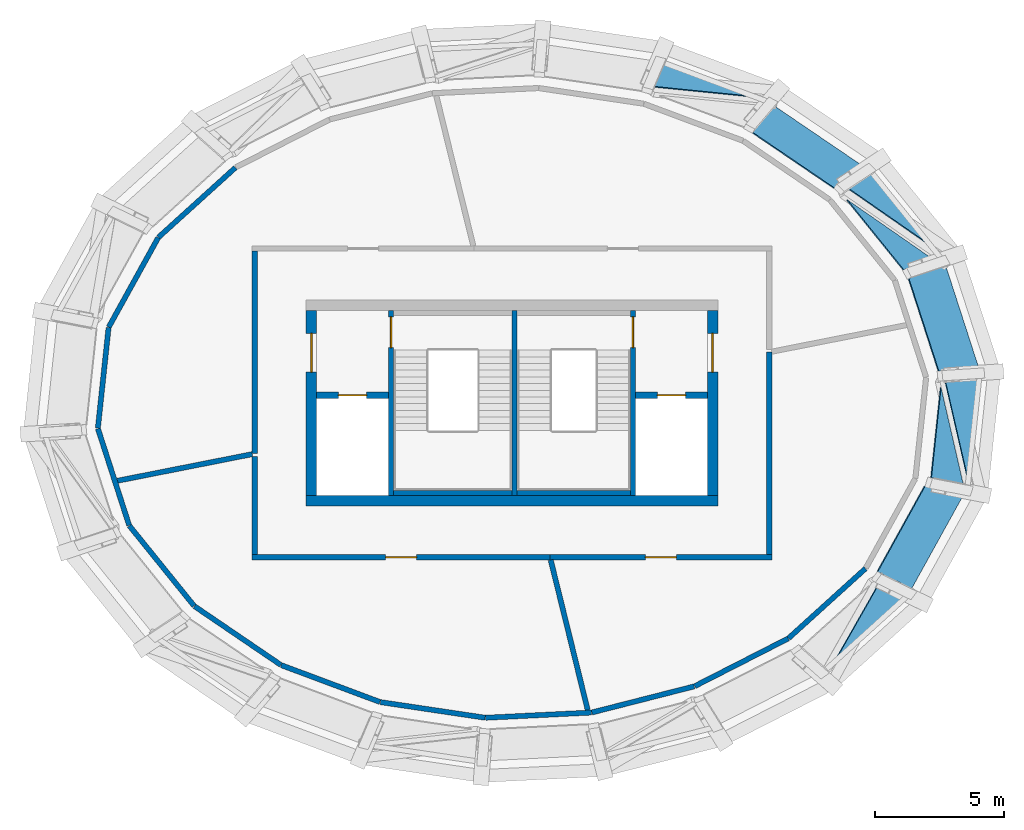
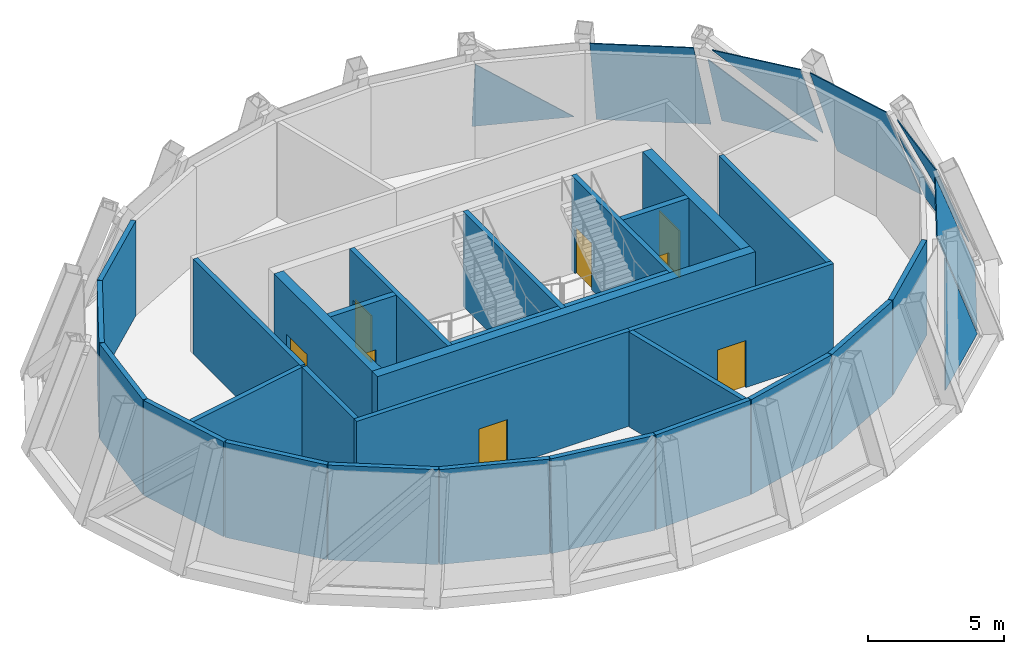
# One storey, part 4 of 6: 28 walls, 9 plates, 8 doors, 8 openings, 1 element without a shape of its own.
"""IFC4 building model written with IfcOpenShell, lengths in metres."""

from ifc_helpers import new_model, si_unit, direction, frame, frame_2d, origin, place, context, subcontext, project, spatial, polyline, rectangle, outline, extrude, source, transform, mapped, material, layer, layer_set, type_object, element, fill, aggregate, save


model = new_model("IFC4")

# Units and contexts
model_context = context("Model", 3, precision=1e-05, world=origin(), true_north=direction((0.0, 1.0)))
body_context = subcontext(model_context, "Body", "Model", "MODEL_VIEW")
ifc_project = project(units=[si_unit("LENGTHUNIT", "METRE"), si_unit("AREAUNIT", "SQUARE_METRE"), si_unit("VOLUMEUNIT", "CUBIC_METRE"), si_unit("PLANEANGLEUNIT", "RADIAN"), si_unit("MASSUNIT", "GRAM", prefix="KILO")], contexts=[model_context])

# Site, building, storey
site_placement = place(None, origin())
site = spatial("IfcSite", under=ifc_project, at=site_placement, CompositionType="ELEMENT")
building_placement = place(site_placement, origin())
building = spatial("IfcBuilding", under=site, at=building_placement, Name="Embergate Tower", CompositionType="ELEMENT")
storey_placement = place(building_placement, frame((0.0, 0.0, 356.5)))
storey = spatial("IfcBuildingStorey", under=building, at=storey_placement, Name="L81", CompositionType="ELEMENT", Elevation=356.5)

# Curtain wall, plates
ifc_material_1 = material(Name="Aluminium and glass", Category="aluminium")
curtain_wall_type = type_object("IfcCurtainWallType", Name="Crown facet glazing", PredefinedType="NOTDEFINED", material=ifc_material_1)
curtain_wall_placement = place(storey_placement, origin())
curtain_wall = element("IfcCurtainWall", 1, at=curtain_wall_placement, inside=storey, type_object=curtain_wall_type, Name="Crown facet glazing L81", ObjectType="CROWN FACET GLAZING", PredefinedType="USERDEFINED")
ifc_material_2 = material(Name="Triple glazing, low-emissivity coating", Category="glass")
ifc_layer_1 = layer(ifc_material_2, 0.0400390625)
ifc_layer_set_1 = layer_set([ifc_layer_1], Name="Triple glazing, low-emissivity coating")
plate_type = type_object("IfcPlateType", Name="Crown facet glazing unit", PredefinedType="CURTAIN_PANEL", material=ifc_layer_set_1)
shared_shape_1 = source(origin(), body_context, "Body", "SweptSolid", [
    extrude(outline(polyline([(0.0, 0.0), (4.18017578125, 0.0), (4.167236328125, 4.554443359375), (0.3837890625, 4.5546875), (0.0, 0.0)])), origin(), (0.0, 0.0, -1.0), 0.0400390625),
])
plate_1_placement = place(storey_placement, frame((18.15576171875, 1.34228515625, 0.02392578125), z_axis=(0.897517126187, 0.290161057825, 0.332068620503), x_axis=(-0.307616168266, 0.951510532269, -1.575772e-06)))
plate_1 = element("IfcPlate", 2, at=plate_1_placement, type_object=plate_type, Name="CW panel 1.1", PredefinedType="CURTAIN_PANEL", context=body_context, shape_type="MappedRepresentation", body=[
    mapped(shared_shape_1, transform((0.0, 0.0, 0.0))),
])
shared_shape_2 = source(origin(), body_context, "Body", "SweptSolid", [
    extrude(outline(polyline([(0.0, 0.0), (3.78466796875, 0.0), (3.8916015625, 3.637939453125), (0.0, 0.0)])), origin(), (0.0, 0.0, -1.0), 0.0400390625),
])
plate_2_placement = place(storey_placement, frame((16.44287109375, 6.01416015625, 0.166259765625), z_axis=(0.738987752264, 0.596495377916, 0.313193815598), x_axis=(-0.628095337902, 0.778136393254, 0.0)))
plate_2 = element("IfcPlate", 3, at=plate_2_placement, type_object=plate_type, Name="CW panel 2.1", PredefinedType="CURTAIN_PANEL", context=body_context, shape_type="MappedRepresentation", body=[
    mapped(shared_shape_2, transform((0.0, 0.0, 0.0))),
])
shared_shape_3 = source(origin(), body_context, "Body", "SweptSolid", [
    extrude(outline(polyline([(0.0, 0.0), (5.375244140625, 0.0), (2.820068359375, 2.387939453125), (0.0, 0.0)])), origin(), (0.0, 0.0, -1.0), 0.0400390625),
])
plate_3_placement = place(storey_placement, frame((16.396484375, 5.56787109375, 0.83837890625), z_axis=(0.738885755904, 0.596797441573, 0.3128588395), x_axis=(-0.625244341069, 0.434119236665, 0.648544526088)))
plate_3 = element("IfcPlate", 4, at=plate_3_placement, type_object=plate_type, Name="CW panel 2.2", PredefinedType="CURTAIN_PANEL", context=body_context, shape_type="MappedRepresentation", body=[
    mapped(shared_shape_3, transform((0.0, 0.0, 0.0))),
])
shared_shape_4 = source(origin(), body_context, "Body", "SweptSolid", [
    extrude(outline(polyline([(0.0, 0.0), (4.219970703125, 0.0), (4.364501953125, 4.513427734375), (0.541015625, 4.513427734375), (0.0, 0.0)])), origin(), (0.0, 0.0, -1.0), 0.0400390625),
])
plate_4_placement = place(storey_placement, frame((13.718505859375, 9.157958984375, 0.005859375), z_axis=(0.537471252437, 0.790695924364, 0.293128995493), x_axis=(-0.827024602085, 0.562165729608, -6.90956e-07)))
plate_4 = element("IfcPlate", 5, at=plate_4_placement, type_object=plate_type, Name="CW panel 3.1", PredefinedType="CURTAIN_PANEL", context=body_context, shape_type="MappedRepresentation", body=[
    mapped(shared_shape_4, transform((0.0, 0.0, 0.0))),
])
shared_shape_5 = source(origin(), body_context, "Body", "SweptSolid", [
    extrude(outline(polyline([(0.0, 0.0), (3.793701171875, 0.0), (3.83984375, 3.6318359375), (0.0, 0.0)])), origin(), (0.0, 0.0, -1.0), 0.0400390625),
])
plate_5_placement = place(storey_placement, frame((9.490478515625, 11.909912109375, 0.150634765625), z_axis=(0.335945769515, 0.899790720667, 0.278418927062), x_axis=(-0.936833360745, 0.349776005746, 0.0)))
plate_5 = element("IfcPlate", 6, at=plate_5_placement, type_object=plate_type, Name="CW panel 4.1", PredefinedType="CURTAIN_PANEL", context=body_context, shape_type="MappedRepresentation", body=[
    mapped(shared_shape_5, transform((0.0, 0.0, 0.0))),
])
shared_shape_6 = source(origin(), body_context, "Body", "SweptSolid", [
    extrude(outline(polyline([(0.0, 0.0), (3.810302734375, 0.0), (3.364013671875, 3.656982421875), (0.0, 0.0)])), origin(), (0.0, 0.0, -1.0), 0.0400390625),
])
plate_6_placement = place(storey_placement, frame((12.520751953125, -10.11572265625, 0.151611328125), z_axis=(0.639821131933, -0.706447537864, 0.302590144216), x_axis=(0.741194147856, 0.671290723296, 0.0)))
plate_6 = element("IfcPlate", 7, at=plate_6_placement, type_object=plate_type, Name="CW panel 20.1", PredefinedType="CURTAIN_PANEL", context=body_context, shape_type="MappedRepresentation", body=[
    mapped(shared_shape_6, transform((0.0, 0.0, 0.0))),
])
shared_shape_7 = source(origin(), body_context, "Body", "SweptSolid", [
    extrude(outline(polyline([(0.0, 0.0), (4.18896484375, 0.0), (3.71337890625, 4.544677734375), (-0.0791015625, 4.544677734375), (0.0, 0.0)])), origin(), (0.0, 0.0, -1.0), 0.0400390625),
])
plate_7_placement = place(storey_placement, frame((15.546630859375, -7.208984375, -0.00048828125), z_axis=(0.828087134124, -0.457909694916, 0.323404405661), x_axis=(0.483915396777, 0.875114786047, -1.760584e-06)))
plate_7 = element("IfcPlate", 8, at=plate_7_placement, type_object=plate_type, Name="CW panel 21.1", PredefinedType="CURTAIN_PANEL", context=body_context, shape_type="MappedRepresentation", body=[
    mapped(shared_shape_7, transform((0.0, 0.0, 0.0))),
])
shared_shape_8 = source(origin(), body_context, "Body", "SweptSolid", [
    extrude(outline(polyline([(0.0, 0.0), (3.7890625, 0.0), (3.576904296875, 3.65576171875), (0.0, 0.0)])), origin(), (0.0, 0.0, -1.0), 0.0400390625),
])
plate_8_placement = place(storey_placement, frame((17.6962890625, -2.814208984375, 0.122802734375), z_axis=(0.936216310264, -0.099609096187, 0.337011940964), x_axis=(0.105798254662, 0.994387615224, 0.0)))
plate_8 = element("IfcPlate", 9, at=plate_8_placement, type_object=plate_type, Name="CW panel 22.1", PredefinedType="CURTAIN_PANEL", context=body_context, shape_type="MappedRepresentation", body=[
    mapped(shared_shape_8, transform((0.0, 0.0, 0.0))),
])
shared_shape_9 = source(origin(), body_context, "Body", "SweptSolid", [
    extrude(outline(polyline([(0.0, 0.0), (5.197021484375, 0.0), (2.730712890625, 2.5205078125), (0.0, 0.0)])), origin(), (0.0, 0.0, -1.0), 0.0400390625),
])
plate_9_placement = place(storey_placement, frame((17.544189453125, -3.15380859375, 0.845703125), z_axis=(0.936217827346, -0.099599028071, 0.337010702153), x_axis=(-0.165549322123, 0.720919380618, 0.672955175769)))
plate_9 = element("IfcPlate", 10, at=plate_9_placement, type_object=plate_type, Name="CW panel 22.2", PredefinedType="CURTAIN_PANEL", context=body_context, shape_type="MappedRepresentation", body=[
    mapped(shared_shape_9, transform((0.0, 0.0, 0.0))),
])
aggregate(curtain_wall, [plate_1, plate_2, plate_3, plate_4, plate_5, plate_6, plate_7, plate_8, plate_9])

# Wall
ifc_material_3 = material(Name="Concrete C50", Category="concrete")
ifc_layer_2 = layer(ifc_material_3, 0.39990234375)
ifc_layer_set_2 = layer_set([ifc_layer_2], Name="Concrete C50")
wall_type_1 = type_object("IfcWallType", Name="Core outer wall C50 400", PredefinedType="SHEAR", material=ifc_layer_set_2)
shared_shape_10 = source(origin(), body_context, "Body", "SweptSolid", [
    extrude(rectangle(XDim=16.0, YDim=0.39990234375, at=frame_2d((8.0, 0.0))), origin(), (0.0, 0.0, 1.0), 4.25),
])
wall_1_placement = place(storey_placement, frame((-8.0, -3.800048828125, 0.0), z_axis=(0.0, 0.0, 1.0), x_axis=(1.0, 0.0, 0.0)))
element("IfcWall", 11, at=wall_1_placement, inside=storey, type_object=wall_type_1, Name="CW-L81-S", PredefinedType="SHEAR", context=body_context, shape_type="MappedRepresentation", body=[
    mapped(shared_shape_10, transform((0.0, 0.0, 0.0))),
])

# Wall, opening, door
shared_shape_11 = source(origin(), body_context, "Body", "SweptSolid", [
    extrude(rectangle(XDim=7.2001953125, YDim=0.39990234375, at=frame_2d((3.60009765625, 0.0))), origin(), (0.0, 0.0, 1.0), 4.25),
])
wall_2_placement = place(storey_placement, frame((7.800048828125, -3.60009765625, 0.0), z_axis=(0.0, 0.0, 1.0), x_axis=(0.0, 1.0, 0.0)))
wall_2 = element("IfcWall", 12, at=wall_2_placement, inside=storey, type_object=wall_type_1, Name="CW-L81-E", PredefinedType="SHEAR", context=body_context, shape_type="MappedRepresentation", body=[
    mapped(shared_shape_11, transform((0.0, 0.0, 0.0))),
])
shared_shape_12 = source(origin(), body_context, "Body", "SweptSolid", [
    extrude(rectangle(XDim=1.5, YDim=2.10009765625, at=frame_2d((0.75, 1.050048828125))), frame((0.0, 0.2099609375, 0.0), z_axis=(0.0, -1.0, 0.0), x_axis=(1.0, 0.0, 0.0)), (0.0, 0.0, 1.0), 0.419921875),
])
opening_1_placement = place(wall_2_placement, frame((4.800048828125, 0.0, 0.0)))
opening_1 = element("IfcOpeningElement", 13, at=opening_1_placement, cuts=wall_2, Name="Opening IF-3", PredefinedType="OPENING", context=body_context, shape_type="MappedRepresentation", body=[
    mapped(shared_shape_12, transform((0.0, 0.0, 0.0))),
])
ifc_material_4 = material(Name="Lobby fire door pair 1500")
door_type_1 = type_object("IfcDoorType", Name="Lobby fire door pair 1500", OperationType="DOUBLE_DOOR_SINGLE_SWING", PredefinedType="DOOR", material=ifc_material_4)
shared_shape_13 = source(origin(), body_context, "Body", "SweptSolid", [
    extrude(rectangle(XDim=1.5, YDim=2.10009765625, at=frame_2d((0.75, 1.050048828125))), frame((0.0, 0.02490234375, 0.0), z_axis=(0.0, -1.0, 0.0), x_axis=(1.0, 0.0, 0.0)), (0.0, 0.0, 1.0), 0.050048828125),
])
door_1_placement = place(opening_1_placement, origin())
door_1 = element("IfcDoor", 14, at=door_1_placement, inside=storey, type_object=door_type_1, Name="IF-3 door", OperationType="DOUBLE_DOOR_SINGLE_SWING", OverallHeight=2.10009765625, OverallWidth=1.5, PredefinedType="DOOR", context=body_context, shape_type="MappedRepresentation", body=[
    mapped(shared_shape_13, transform((0.0, 0.0, 0.0))),
])
fill(opening_1, door_1)

wall_3_placement = place(storey_placement, frame((-7.800048828125, -3.60009765625, 0.0), z_axis=(0.0, 0.0, 1.0), x_axis=(0.0, 1.0, 0.0)))
wall_3 = element("IfcWall", 15, at=wall_3_placement, inside=storey, type_object=wall_type_1, Name="CW-L81-W", PredefinedType="SHEAR", context=body_context, shape_type="MappedRepresentation", body=[
    mapped(shared_shape_11, transform((0.0, 0.0, 0.0))),
])
opening_2_placement = place(wall_3_placement, frame((4.800048828125, 0.0, 0.0)))
opening_2 = element("IfcOpeningElement", 16, at=opening_2_placement, cuts=wall_3, Name="Opening IF-3", PredefinedType="OPENING", context=body_context, shape_type="MappedRepresentation", body=[
    mapped(shared_shape_12, transform((0.0, 0.0, 0.0))),
])
door_2_placement = place(opening_2_placement, origin())
door_2 = element("IfcDoor", 17, at=door_2_placement, inside=storey, type_object=door_type_1, Name="IF-3 door", OperationType="DOUBLE_DOOR_SINGLE_SWING", OverallHeight=2.10009765625, OverallWidth=1.5, PredefinedType="DOOR", context=body_context, shape_type="MappedRepresentation", body=[
    mapped(shared_shape_13, transform((0.0, 0.0, 0.0))),
])
fill(opening_2, door_2)

# Walls
ifc_material_5 = material(Name="Terracotta louvre cladding on insulated backing", Category="masonry")
ifc_layer_3 = layer(ifc_material_5, 0.199951171875)
ifc_layer_set_3 = layer_set([ifc_layer_3], Name="Terracotta louvre cladding on insulated backing")
wall_type_2 = type_object("IfcWallType", Name="Terracotta louvre wall", PredefinedType="SOLIDWALL", material=ifc_layer_set_3)
shared_shape_14 = source(origin(), body_context, "Body", "SweptSolid", [
    extrude(rectangle(XDim=4.003662109375, YDim=0.199951171875, at=frame_2d((2.001953125, 0.0))), origin(), (0.0, 0.0, 1.0), 4.25),
])
wall_4_placement = place(storey_placement, frame((-12.360595703125, -7.8916015625, 0.0), z_axis=(0.0, 0.0, 1.0), x_axis=(-0.628317235809, 0.777957229663, 0.0)))
element("IfcWall", 18, at=wall_4_placement, inside=storey, type_object=wall_type_2, Name="Crown louvre wall 12", PredefinedType="SOLIDWALL", context=body_context, shape_type="MappedRepresentation", body=[
    mapped(shared_shape_14, transform((0.0, 0.0, 0.0))),
])
shared_shape_15 = source(origin(), body_context, "Body", "SweptSolid", [
    extrude(rectangle(XDim=4.059814453125, YDim=0.199951171875, at=frame_2d((2.02978515625, 0.0))), origin(), (0.0, 0.0, 1.0), 4.25),
])
wall_5_placement = place(storey_placement, frame((-8.98876953125, -10.187744140625, 0.0), z_axis=(0.0, 0.0, 1.0), x_axis=(-0.826945516506, 0.562282057984, 0.0)))
element("IfcWall", 19, at=wall_5_placement, inside=storey, type_object=wall_type_2, Name="Crown louvre wall 13", PredefinedType="SOLIDWALL", context=body_context, shape_type="MappedRepresentation", body=[
    mapped(shared_shape_15, transform((0.0, 0.0, 0.0))),
])
shared_shape_16 = source(origin(), body_context, "Body", "SweptSolid", [
    extrude(rectangle(XDim=4.095458984375, YDim=0.199951171875, at=frame_2d((2.0478515625, 0.0))), origin(), (0.0, 0.0, 1.0), 4.25),
])
wall_6_placement = place(storey_placement, frame((-5.134033203125, -11.62890625, 0.0), z_axis=(0.0, 0.0, 1.0), x_axis=(-0.936867035119, 0.349685799695, 0.0)))
element("IfcWall", 20, at=wall_6_placement, inside=storey, type_object=wall_type_2, Name="Crown louvre wall 14", PredefinedType="SOLIDWALL", context=body_context, shape_type="MappedRepresentation", body=[
    mapped(shared_shape_16, transform((0.0, 0.0, 0.0))),
])
shared_shape_17 = source(origin(), body_context, "Body", "SweptSolid", [
    extrude(rectangle(XDim=4.11474609375, YDim=0.199951171875, at=frame_2d((2.057373046875, 0.0))), origin(), (0.0, 0.0, 1.0), 4.25),
])
wall_7_placement = place(storey_placement, frame((-1.045166015625, -12.240966796875, 0.0), z_axis=(0.0, 0.0, 1.0), x_axis=(-0.989052252856, 0.147565717971, 0.0)))
element("IfcWall", 21, at=wall_7_placement, inside=storey, type_object=wall_type_2, Name="Crown louvre wall 15", PredefinedType="SOLIDWALL", context=body_context, shape_type="MappedRepresentation", body=[
    mapped(shared_shape_17, transform((0.0, 0.0, 0.0))),
])
shared_shape_18 = source(origin(), body_context, "Body", "SweptSolid", [
    extrude(rectangle(XDim=4.116455078125, YDim=0.199951171875, at=frame_2d((2.05810546875, 0.0))), origin(), (0.0, 0.0, 1.0), 4.25),
])
wall_8_placement = place(storey_placement, frame((3.086181640625, -12.03955078125, 0.0), z_axis=(0.0, 0.0, 1.0), x_axis=(-0.998790641863, -0.049165574616, 0.0)))
element("IfcWall", 22, at=wall_8_placement, inside=storey, type_object=wall_type_2, Name="Crown louvre wall 16", PredefinedType="SOLIDWALL", context=body_context, shape_type="MappedRepresentation", body=[
    mapped(shared_shape_18, transform((0.0, 0.0, 0.0))),
])
shared_shape_19 = source(origin(), body_context, "Body", "SweptSolid", [
    extrude(rectangle(XDim=4.107421875, YDim=0.199951171875, at=frame_2d((2.0537109375, 0.0))), origin(), (0.0, 0.0, 1.0), 4.25),
])
wall_9_placement = place(storey_placement, frame((7.0859375, -11.02099609375, 0.0), z_axis=(0.0, 0.0, 1.0), x_axis=(-0.96894922759, -0.247259770996, 0.0)))
element("IfcWall", 23, at=wall_9_placement, inside=storey, type_object=wall_type_2, Name="Crown louvre wall 17", PredefinedType="SOLIDWALL", context=body_context, shape_type="MappedRepresentation", body=[
    mapped(shared_shape_19, transform((0.0, 0.0, 0.0))),
])
shared_shape_20 = source(origin(), body_context, "Body", "SweptSolid", [
    extrude(rectangle(XDim=4.079833984375, YDim=0.199951171875, at=frame_2d((2.0400390625, 0.0))), origin(), (0.0, 0.0, 1.0), 4.25),
])
wall_10_placement = place(storey_placement, frame((10.73828125, -9.1591796875, 0.0), z_axis=(0.0, 0.0, 1.0), x_axis=(-0.89066198265, -0.454666067198, 0.0)))
element("IfcWall", 24, at=wall_10_placement, inside=storey, type_object=wall_type_2, Name="Crown louvre wall 18", PredefinedType="SOLIDWALL", context=body_context, shape_type="MappedRepresentation", body=[
    mapped(shared_shape_20, transform((0.0, 0.0, 0.0))),
])
shared_shape_21 = source(origin(), body_context, "Body", "SweptSolid", [
    extrude(rectangle(XDim=4.033447265625, YDim=0.199951171875, at=frame_2d((2.0166015625, 0.0))), origin(), (0.0, 0.0, 1.0), 4.25),
])
for number, where, z_axis, x_axis, name in (
    (25, (-13.743896484375, 6.440185546875, 0.0), (0.0, 0.0, 1.0), (0.741168574023, 0.671318959125, 0.0), "Crown louvre wall 8"),
    (26, (13.743896484375, -6.440185546875, 0.0), (0.0, 0.0, 1.0), (-0.741168574023, -0.671318959125, 0.0), "Crown louvre wall 19"),
):
    element("IfcWall", number, at=place(storey_placement, frame(where, z_axis=z_axis, x_axis=x_axis)), inside=storey, type_object=wall_type_2, Name=name, PredefinedType="SOLIDWALL", context=body_context, shape_type="MappedRepresentation", body=[
        mapped(shared_shape_21, transform((0.0, 0.0, 0.0))),
    ])
shared_shape_22 = source(origin(), body_context, "Body", "SweptSolid", [
    extrude(rectangle(XDim=3.97412109375, YDim=0.199951171875, at=frame_2d((1.987060546875, 0.0))), origin(), (0.0, 0.0, 1.0), 4.25),
])
wall_11_placement = place(storey_placement, frame((-15.67919921875, 2.947021484375, 0.0), z_axis=(0.0, 0.0, 1.0), x_axis=(0.483910254113, 0.875117629787, 0.0)))
element("IfcWall", 27, at=wall_11_placement, inside=storey, type_object=wall_type_2, Name="Crown louvre wall 9", PredefinedType="SOLIDWALL", context=body_context, shape_type="MappedRepresentation", body=[
    mapped(shared_shape_22, transform((0.0, 0.0, 0.0))),
])
shared_shape_23 = source(origin(), body_context, "Body", "SweptSolid", [
    extrude(rectangle(XDim=3.932861328125, YDim=0.199951171875, at=frame_2d((1.96630859375, 0.0))), origin(), (0.0, 0.0, 1.0), 4.25),
])
wall_12_placement = place(storey_placement, frame((-16.10107421875, -0.982666015625, 0.0), z_axis=(0.0, 0.0, 1.0), x_axis=(0.10577691274, 0.994389885674, 0.0)))
element("IfcWall", 28, at=wall_12_placement, inside=storey, type_object=wall_type_2, Name="Crown louvre wall 10", PredefinedType="SOLIDWALL", context=body_context, shape_type="MappedRepresentation", body=[
    mapped(shared_shape_23, transform((0.0, 0.0, 0.0))),
])
shared_shape_24 = source(origin(), body_context, "Body", "SweptSolid", [
    extrude(rectangle(XDim=3.948486328125, YDim=0.199951171875, at=frame_2d((1.97412109375, 0.0))), origin(), (0.0, 0.0, 1.0), 4.25),
])
wall_13_placement = place(storey_placement, frame((-14.885498046875, -4.759521484375, 0.0), z_axis=(0.0, 0.0, 1.0), x_axis=(-0.307365880997, 0.951591411898, 0.0)))
element("IfcWall", 29, at=wall_13_placement, inside=storey, type_object=wall_type_2, Name="Crown louvre wall 11", PredefinedType="SOLIDWALL", context=body_context, shape_type="MappedRepresentation", body=[
    mapped(shared_shape_24, transform((0.0, 0.0, 0.0))),
])
ifc_layer_4 = layer(ifc_material_3, 0.199951171875)
ifc_layer_set_4 = layer_set([ifc_layer_4], Name="Concrete C50")
wall_type_3 = type_object("IfcWallType", Name="Stair enclosure wall reinforced concrete 250", PredefinedType="SHEAR", material=ifc_layer_set_4)
shared_shape_25 = source(origin(), body_context, "Body", "SweptSolid", [
    extrude(rectangle(XDim=7.2001953125, YDim=0.199951171875, at=frame_2d((3.60009765625, 0.0))), origin(), (0.0, 0.0, 1.0), 4.25),
])
wall_14_placement = place(storey_placement, frame((0.10009765625, 3.60009765625, 0.0), z_axis=(0.0, 0.0, 1.0), x_axis=(0.0, -1.0, 0.0)))
element("IfcWall", 30, at=wall_14_placement, inside=storey, type_object=wall_type_3, Name="SE-1 wall", PredefinedType="SHEAR", context=body_context, shape_type="MappedRepresentation", body=[
    mapped(shared_shape_25, transform((0.0, 0.0, 0.0))),
])

# Wall, opening, door
wall_15_placement = place(storey_placement, frame((4.699951171875, -3.60009765625, 0.0), z_axis=(0.0, 0.0, 1.0), x_axis=(0.0, 1.0, 0.0)))
wall_15 = element("IfcWall", 31, at=wall_15_placement, inside=storey, type_object=wall_type_3, Name="SE-1 wall", PredefinedType="SHEAR", context=body_context, shape_type="MappedRepresentation", body=[
    mapped(shared_shape_25, transform((0.0, 0.0, 0.0))),
])
shared_shape_26 = source(origin(), body_context, "Body", "SweptSolid", [
    extrude(rectangle(XDim=1.199951171875, YDim=2.10009765625, at=frame_2d((0.60009765625, 1.050048828125))), frame((0.0, 0.10986328125, 0.0), z_axis=(0.0, -1.0, 0.0), x_axis=(1.0, 0.0, 0.0)), (0.0, 0.0, 1.0), 0.219970703125),
])
opening_3_placement = place(wall_15_placement, frame((5.75, 0.0, 0.0)))
opening_3 = element("IfcOpeningElement", 32, at=opening_3_placement, cuts=wall_15, Name="Opening IF-2", PredefinedType="OPENING", context=body_context, shape_type="MappedRepresentation", body=[
    mapped(shared_shape_26, transform((0.0, 0.0, 0.0))),
])
ifc_material_6 = material(Name="Stair enclosure door 1200")
door_type_2 = type_object("IfcDoorType", Name="Stair enclosure door 1200", OperationType="SINGLE_SWING_LEFT", PredefinedType="DOOR", material=ifc_material_6)
shared_shape_27 = source(origin(), body_context, "Body", "SweptSolid", [
    extrude(rectangle(XDim=1.199951171875, YDim=2.10009765625, at=frame_2d((0.60009765625, 1.050048828125))), frame((0.0, 0.02490234375, 0.0), z_axis=(0.0, -1.0, 0.0), x_axis=(1.0, 0.0, 0.0)), (0.0, 0.0, 1.0), 0.050048828125),
])
door_3_placement = place(opening_3_placement, origin())
door_3 = element("IfcDoor", 33, at=door_3_placement, inside=storey, type_object=door_type_2, Name="IF-2 door", OperationType="SINGLE_SWING_RIGHT", OverallHeight=2.10009765625, OverallWidth=1.199951171875, PredefinedType="DOOR", context=body_context, shape_type="MappedRepresentation", body=[
    mapped(shared_shape_27, transform((0.0, 0.0, 0.0))),
])
fill(opening_3, door_3)

wall_16_placement = place(storey_placement, frame((-4.699951171875, 3.60009765625, 0.0), z_axis=(0.0, 0.0, 1.0), x_axis=(0.0, -1.0, 0.0)))
wall_16 = element("IfcWall", 34, at=wall_16_placement, inside=storey, type_object=wall_type_3, Name="SE-1 wall", PredefinedType="SHEAR", context=body_context, shape_type="MappedRepresentation", body=[
    mapped(shared_shape_25, transform((0.0, 0.0, 0.0))),
])
opening_4_placement = place(wall_16_placement, frame((0.25, 0.0, 0.0)))
opening_4 = element("IfcOpeningElement", 35, at=opening_4_placement, cuts=wall_16, Name="Opening IF-2", PredefinedType="OPENING", context=body_context, shape_type="MappedRepresentation", body=[
    mapped(shared_shape_26, transform((0.0, 0.0, 0.0))),
])
door_4_placement = place(opening_4_placement, origin())
door_4 = element("IfcDoor", 36, at=door_4_placement, inside=storey, type_object=door_type_2, Name="IF-2 door", OperationType="SINGLE_SWING_RIGHT", OverallHeight=2.10009765625, OverallWidth=1.199951171875, PredefinedType="DOOR", context=body_context, shape_type="MappedRepresentation", body=[
    mapped(shared_shape_27, transform((0.0, 0.0, 0.0))),
])
fill(opening_4, door_4)

ifc_layer_5 = layer(ifc_material_3, 0.25)
ifc_layer_set_5 = layer_set([ifc_layer_5], Name="Concrete C50")
wall_type_4 = type_object("IfcWallType", Name="Hoistway wall reinforced concrete 250", PredefinedType="SHEAR", material=ifc_layer_set_5)
shared_shape_28 = source(origin(), body_context, "Body", "SweptSolid", [
    extrude(rectangle(XDim=2.800048828125, YDim=0.25, at=frame_2d((1.39990234375, 0.0))), origin(), (0.0, 0.0, 1.0), 4.25),
])
wall_17_placement = place(storey_placement, frame((7.60009765625, 0.300048828125, 0.0), z_axis=(0.0, 0.0, 1.0), x_axis=(-1.0, 0.0, 0.0)))
wall_17 = element("IfcWall", 37, at=wall_17_placement, inside=storey, type_object=wall_type_4, Name="HW-1 wall", PredefinedType="SHEAR", context=body_context, shape_type="MappedRepresentation", body=[
    mapped(shared_shape_28, transform((0.0, 0.0, 0.0))),
])
shared_shape_29 = source(origin(), body_context, "Body", "SweptSolid", [
    extrude(rectangle(XDim=1.10009765625, YDim=2.10009765625, at=frame_2d((0.550048828125, 1.050048828125))), frame((0.0, 0.135009765625, 0.0), z_axis=(0.0, -1.0, 0.0), x_axis=(1.0, 0.0, 0.0)), (0.0, 0.0, 1.0), 0.27001953125),
])
opening_5_placement = place(wall_17_placement, frame((0.85009765625, 0.0, 0.0)))
opening_5 = element("IfcOpeningElement", 38, at=opening_5_placement, cuts=wall_17, Name="Opening LD", PredefinedType="OPENING", context=body_context, shape_type="MappedRepresentation", body=[
    mapped(shared_shape_29, transform((0.0, 0.0, 0.0))),
])
ifc_material_7 = material(Name="Landing door sliding 1100")
door_type_3 = type_object("IfcDoorType", Name="Landing door sliding 1100", OperationType="SLIDING_TO_LEFT", PredefinedType="DOOR", material=ifc_material_7)
shared_shape_30 = source(origin(), body_context, "Body", "SweptSolid", [
    extrude(rectangle(XDim=1.10009765625, YDim=2.10009765625, at=frame_2d((0.550048828125, 1.050048828125))), frame((0.0, 0.02490234375, 0.0), z_axis=(0.0, -1.0, 0.0), x_axis=(1.0, 0.0, 0.0)), (0.0, 0.0, 1.0), 0.050048828125),
])
door_5_placement = place(opening_5_placement, origin())
door_5 = element("IfcDoor", 39, at=door_5_placement, inside=storey, type_object=door_type_3, Name="LD door", OperationType="SLIDING_TO_LEFT", OverallHeight=2.10009765625, OverallWidth=1.10009765625, PredefinedType="DOOR", context=body_context, shape_type="MappedRepresentation", body=[
    mapped(shared_shape_30, transform((0.0, 0.0, 0.0))),
])
fill(opening_5, door_5)

wall_18_placement = place(storey_placement, frame((-4.800048828125, 0.300048828125, 0.0), z_axis=(0.0, 0.0, 1.0), x_axis=(-1.0, 0.0, 0.0)))
wall_18 = element("IfcWall", 40, at=wall_18_placement, inside=storey, type_object=wall_type_4, Name="HW-1 wall", PredefinedType="SHEAR", context=body_context, shape_type="MappedRepresentation", body=[
    mapped(shared_shape_28, transform((0.0, 0.0, 0.0))),
])
opening_6_placement = place(wall_18_placement, frame((0.85009765625, 0.0, 0.0)))
opening_6 = element("IfcOpeningElement", 41, at=opening_6_placement, cuts=wall_18, Name="Opening LD", PredefinedType="OPENING", context=body_context, shape_type="MappedRepresentation", body=[
    mapped(shared_shape_29, transform((0.0, 0.0, 0.0))),
])
door_6_placement = place(opening_6_placement, origin())
door_6 = element("IfcDoor", 42, at=door_6_placement, inside=storey, type_object=door_type_3, Name="LD door", OperationType="SLIDING_TO_RIGHT", OverallHeight=2.10009765625, OverallWidth=1.10009765625, PredefinedType="DOOR", context=body_context, shape_type="MappedRepresentation", body=[
    mapped(shared_shape_30, transform((0.0, 0.0, 0.0))),
])
fill(opening_6, door_6)

# Walls
shared_shape_31 = source(origin(), body_context, "Body", "SweptSolid", [
    extrude(rectangle(XDim=9.59619140625, YDim=0.199951171875, at=frame_2d((4.798095703125, 0.0))), origin(), (0.0, 0.0, 1.0), 4.25),
])
wall_19_placement = place(storey_placement, frame((-4.798095703125, -3.5, 0.0), z_axis=(0.0, 0.0, 1.0), x_axis=(1.0, 0.0, 0.0)))
element("IfcWall", 43, at=wall_19_placement, inside=storey, type_object=wall_type_3, Name="SE-1 wall", PredefinedType="SHEAR", context=body_context, shape_type="MappedRepresentation", body=[
    mapped(shared_shape_31, transform((0.0, 0.0, 0.0))),
])
ifc_material_8 = material(Name="Blockwork, plastered", Category="masonry")
ifc_layer_6 = layer(ifc_material_8, 0.199951171875)
ifc_layer_set_6 = layer_set([ifc_layer_6], Name="Blockwork, plastered")
wall_type_5 = type_object("IfcWallType", Name="Fire partition wall 200 block", PredefinedType="PARTITIONING", material=ifc_layer_set_6)
shared_shape_32 = source(origin(), body_context, "Body", "SweptSolid", [
    extrude(rectangle(XDim=3.81689453125, YDim=0.199951171875, at=frame_2d((1.908447265625, 0.0))), origin(), (0.0, 0.0, 1.0), 4.25),
])
wall_20_placement = place(storey_placement, frame((-10.0, -5.89990234375, 0.0), z_axis=(0.0, 0.0, 1.0), x_axis=(0.0, 1.0, 0.0)))
element("IfcWall", 44, at=wall_20_placement, inside=storey, type_object=wall_type_5, Name="Partition 001", PredefinedType="PARTITIONING", context=body_context, shape_type="MappedRepresentation", body=[
    mapped(shared_shape_32, transform((0.0, 0.0, 0.0))),
])
shared_shape_33 = source(origin(), body_context, "Body", "SweptSolid", [
    extrude(rectangle(XDim=5.343505859375, YDim=0.199951171875, at=frame_2d((2.671875, 0.0))), origin(), (0.0, 0.0, 1.0), 4.25),
])
wall_21_placement = place(storey_placement, frame((-10.097900390625, -1.991943359375, 0.0), z_axis=(0.0, 0.0, 1.0), x_axis=(-0.981055750952, -0.193725614011, 0.0)))
element("IfcWall", 45, at=wall_21_placement, inside=storey, type_object=wall_type_5, Name="Partition 002", PredefinedType="PARTITIONING", context=body_context, shape_type="MappedRepresentation", body=[
    mapped(shared_shape_33, transform((0.0, 0.0, 0.0))),
])
shared_shape_34 = source(origin(), body_context, "Body", "SweptSolid", [
    extrude(rectangle(XDim=7.872802734375, YDim=0.199951171875, at=frame_2d((3.9365234375, 0.0))), origin(), (0.0, 0.0, 1.0), 4.25),
])
for number, where, z_axis, x_axis, name in (
    (46, (-10.0, -1.972900390625, 0.0), (0.0, 0.0, 1.0), (0.0, 1.0, 0.0), "Partition 003"),
    (47, (10.0, 1.972900390625, 0.0), (0.0, 0.0, 1.0), (0.0, -1.0, 0.0), "Partition 010"),
):
    element("IfcWall", number, at=place(storey_placement, frame(where, z_axis=z_axis, x_axis=x_axis)), inside=storey, type_object=wall_type_5, Name=name, PredefinedType="PARTITIONING", context=body_context, shape_type="MappedRepresentation", body=[
        mapped(shared_shape_34, transform((0.0, 0.0, 0.0))),
    ])

# Wall, opening, door
shared_shape_35 = source(origin(), body_context, "Body", "SweptSolid", [
    extrude(rectangle(XDim=8.62109375, YDim=0.199951171875, at=frame_2d((4.310546875, 0.0))), origin(), (0.0, 0.0, 1.0), 4.25),
])
wall_22_placement = place(storey_placement, frame((10.10009765625, -6.0, 0.0), z_axis=(0.0, 0.0, 1.0), x_axis=(-1.0, 0.0, 0.0)))
wall_22 = element("IfcWall", 48, at=wall_22_placement, inside=storey, type_object=wall_type_5, Name="Partition 009", PredefinedType="PARTITIONING", context=body_context, shape_type="MappedRepresentation", body=[
    mapped(shared_shape_35, transform((0.0, 0.0, 0.0))),
])
opening_7_placement = place(wall_22_placement, frame((3.7109375, 0.0, 0.0)))
opening_7 = element("IfcOpeningElement", 49, at=opening_7_placement, cuts=wall_22, Name="Opening DS-284", PredefinedType="OPENING", context=body_context, shape_type="MappedRepresentation", body=[
    mapped(shared_shape_26, transform((0.0, 0.0, 0.0))),
])
ifc_material_9 = material(Name="Timber door leaf, steel frame", Category="steel")
door_type_4 = type_object("IfcDoorType", Name="Plant door 1200x2100", OperationType="SINGLE_SWING_LEFT", PredefinedType="DOOR", material=ifc_material_9)
shared_shape_36 = source(origin(), body_context, "Body", "SweptSolid", [
    extrude(rectangle(XDim=1.199951171875, YDim=2.10009765625, at=frame_2d((0.60009765625, 1.050048828125))), frame((0.0, 0.02490234375, 0.0), z_axis=(0.0, -1.0, 0.0), x_axis=(1.0, 0.0, 0.0)), (0.0, 0.0, 1.0), 0.050048828125),
])
door_7_placement = place(opening_7_placement, origin())
door_7 = element("IfcDoor", 50, at=door_7_placement, inside=storey, type_object=door_type_4, Name="Door to Crown mechanical plant room", OperationType="SINGLE_SWING_LEFT", OverallHeight=2.10009765625, OverallWidth=1.199951171875, PredefinedType="DOOR", context=body_context, shape_type="MappedRepresentation", body=[
    mapped(shared_shape_36, transform((0.0, 0.0, 0.0))),
])
fill(opening_7, door_7)

# Wall
shared_shape_37 = source(origin(), body_context, "Body", "SweptSolid", [
    extrude(rectangle(XDim=6.01416015625, YDim=0.199951171875, at=frame_2d((3.007080078125, 0.0))), origin(), (0.0, 0.0, 1.0), 4.25),
])
wall_23_placement = place(storey_placement, frame((1.5048828125, -6.10693359375, 0.0), z_axis=(0.0, 0.0, 1.0), x_axis=(0.239468317603, -0.970904179033, 0.0)))
element("IfcWall", 51, at=wall_23_placement, inside=storey, type_object=wall_type_5, Name="Partition 008", PredefinedType="PARTITIONING", context=body_context, shape_type="MappedRepresentation", body=[
    mapped(shared_shape_37, transform((0.0, 0.0, 0.0))),
])

# Wall, opening, door
shared_shape_38 = source(origin(), body_context, "Body", "SweptSolid", [
    extrude(rectangle(XDim=11.5791015625, YDim=0.199951171875, at=frame_2d((5.78955078125, 0.0))), origin(), (0.0, 0.0, 1.0), 4.25),
])
wall_24_placement = place(storey_placement, frame((1.47900390625, -6.0, 0.0), z_axis=(0.0, 0.0, 1.0), x_axis=(-1.0, 0.0, 0.0)))
wall_24 = element("IfcWall", 52, at=wall_24_placement, inside=storey, type_object=wall_type_5, Name="Partition 007", PredefinedType="PARTITIONING", context=body_context, shape_type="MappedRepresentation", body=[
    mapped(shared_shape_38, transform((0.0, 0.0, 0.0))),
])
opening_8_placement = place(wall_24_placement, frame((5.18896484375, 0.0, 0.0)))
opening_8 = element("IfcOpeningElement", 53, at=opening_8_placement, cuts=wall_24, Name="Opening DS-283", PredefinedType="OPENING", context=body_context, shape_type="MappedRepresentation", body=[
    mapped(shared_shape_26, transform((0.0, 0.0, 0.0))),
])
door_8_placement = place(opening_8_placement, origin())
door_8 = element("IfcDoor", 54, at=door_8_placement, inside=storey, type_object=door_type_4, Name="Door to Crown pump plant room", OperationType="SINGLE_SWING_LEFT", OverallHeight=2.10009765625, OverallWidth=1.199951171875, PredefinedType="DOOR", context=body_context, shape_type="MappedRepresentation", body=[
    mapped(shared_shape_36, transform((0.0, 0.0, 0.0))),
])
fill(opening_8, door_8)

save(model, "model.ifc")
